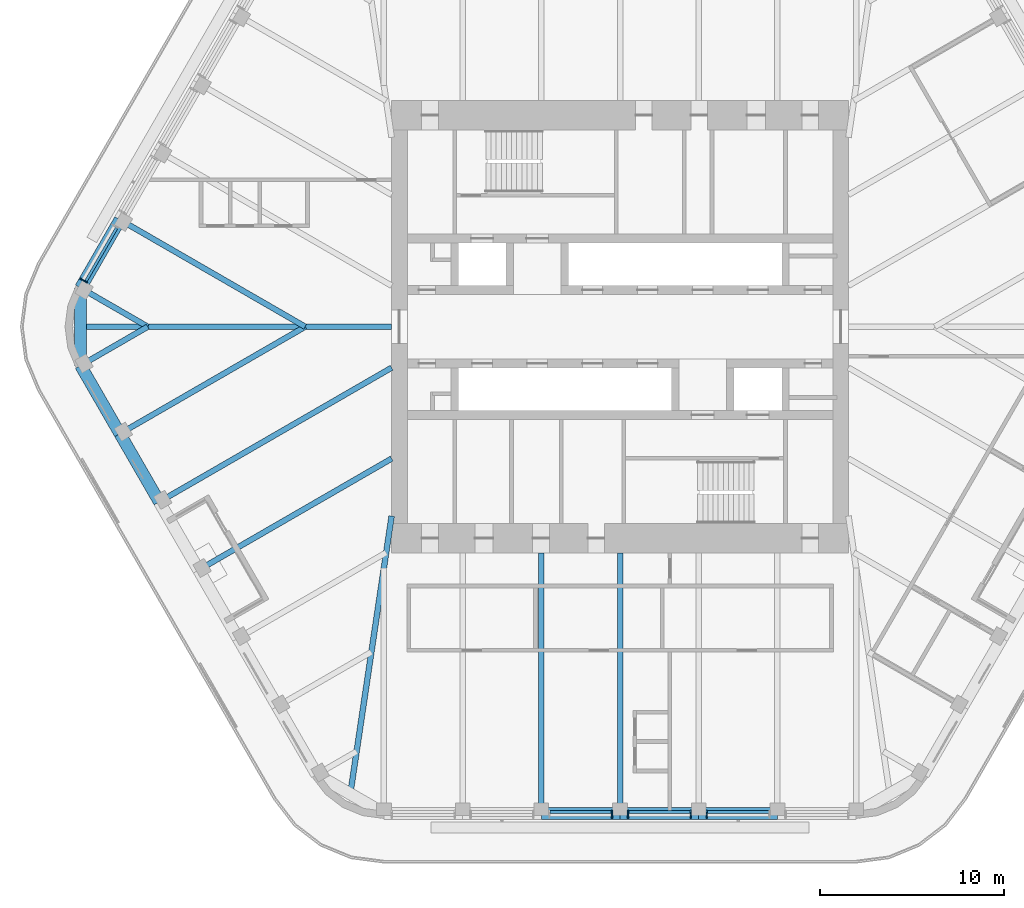
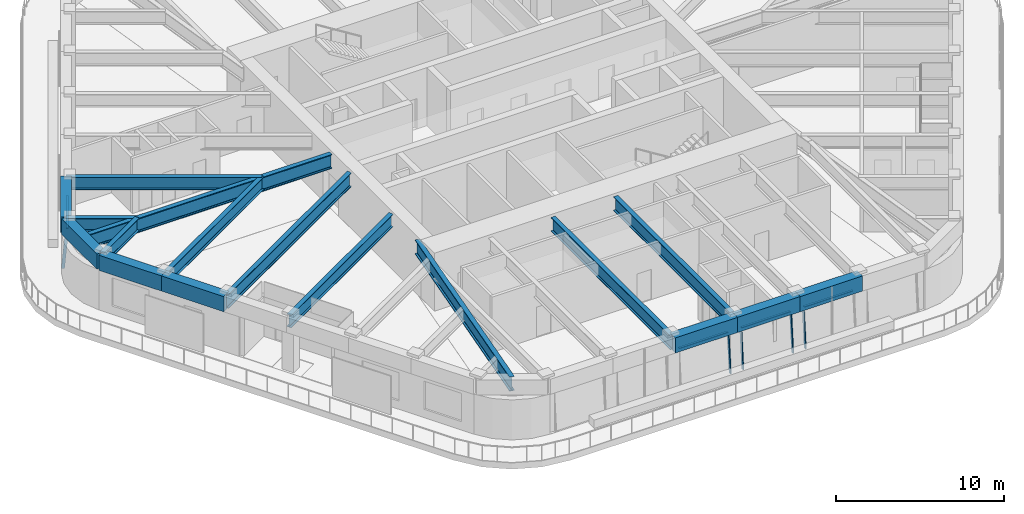
# One storey, part 3 of 20: 17 beams, 9 members, 4 elements without a shape of their own.
"""IFC4 building model written with IfcOpenShell, lengths in metres."""

from ifc_helpers import new_model, si_unit, direction, frame, origin, origin_2d, place, context, subcontext, project, spatial, rectangle, i_section, extrude, material, material_profile, profile_set, type_object, element, aggregate, save


model = new_model("IFC4")

# Units and contexts
model_context = context("Model", 3, precision=1e-05, world=origin(), true_north=direction((0.0, 1.0)))
body_context = subcontext(model_context, "Body", "Model", "MODEL_VIEW")
ifc_project = project(units=[si_unit("LENGTHUNIT", "METRE"), si_unit("AREAUNIT", "SQUARE_METRE"), si_unit("VOLUMEUNIT", "CUBIC_METRE"), si_unit("PLANEANGLEUNIT", "RADIAN"), si_unit("MASSUNIT", "GRAM", prefix="KILO")], contexts=[model_context])

# Site, building, storey
site_placement = place(None, origin())
site = spatial("IfcSite", under=ifc_project, at=site_placement, CompositionType="ELEMENT")
building_placement = place(site_placement, origin())
building = spatial("IfcBuilding", under=site, at=building_placement, Name="Tarfa Lantern Tower", CompositionType="ELEMENT")
storey_placement = place(building_placement, frame((0.0, 0.0, 382.89990234375)))
storey = spatial("IfcBuildingStorey", under=building, at=storey_placement, Name="L87", CompositionType="ELEMENT", Elevation=382.89990234375)

# Curtain wall, member
ifc_material_1 = material(Name="Aluminium framed curtain wall", Category="aluminium")
curtain_wall_type = type_object("IfcCurtainWallType", Name="CW4 CANTED GLAZING EXECUTIVE ZONE 2900", PredefinedType="USERDEFINED", material=ifc_material_1)
curtain_wall_1_placement = place(storey_placement, origin())
curtain_wall_1 = element("IfcCurtainWall", 1, at=curtain_wall_1_placement, inside=storey, type_object=curtain_wall_type, Name="CW4 NW L87", ObjectType="CURTAIN WALL", PredefinedType="USERDEFINED")
ifc_material_2 = material(Name="Aluminium mullion", Category="aluminium")
ifc_material_profile_1 = material_profile(ifc_material_2, rectangle(XDim=0.06494140625, YDim=0.199951171875, at=origin_2d()), Name="AL MULLION 65x200")
ifc_profile_set_1 = profile_set([ifc_material_profile_1], Name="Aluminium mullion")
member_type_1 = type_object("IfcMemberType", Name="CWM1 MULLION 65x200", PredefinedType="MULLION", material=ifc_profile_set_1)
member_1_placement = place(storey_placement, frame((-29.286376953125, 2.574462890625, 0.0), z_axis=(0.074393603155, -0.042941967097, 0.996303959277), x_axis=(0.499919672301, 0.866071776036, 0.0)))
member_1 = element("IfcMember", 2, at=member_1_placement, type_object=member_type_1, Name="CW4 mullion 2", PredefinedType="MULLION", context=body_context, shape_type="SweptSolid", body=[
    extrude(rectangle(XDim=0.06494140625, YDim=0.199951171875, at=origin_2d()), origin(), (0.0, 0.0, 1.0), 2.910888671875),
])

curtain_wall_2_placement = place(storey_placement, origin())
curtain_wall_2 = element("IfcCurtainWall", 3, at=curtain_wall_2_placement, inside=storey, type_object=curtain_wall_type, Name="CW4 S L87", ObjectType="CURTAIN WALL", PredefinedType="USERDEFINED")
member_2_placement = place(storey_placement, frame((-0.4326171875, -26.64990234375, 0.0), z_axis=(0.0, 0.085884035992, 0.996305140186), x_axis=(-1.0, 0.0, 0.0)))
member_2 = element("IfcMember", 4, at=member_2_placement, type_object=member_type_1, Name="CW4 mullion 2", PredefinedType="MULLION", context=body_context, shape_type="SweptSolid", body=[
    extrude(rectangle(XDim=0.06494140625, YDim=0.199951171875, at=origin_2d()), origin(), (0.0, 0.0, 1.0), 2.910888671875),
])

# Curtain wall, members
curtain_wall_3_placement = place(storey_placement, origin())
curtain_wall_3 = element("IfcCurtainWall", 5, at=curtain_wall_3_placement, inside=storey, type_object=curtain_wall_type, Name="CW4 S L87", ObjectType="CURTAIN WALL", PredefinedType="USERDEFINED")
member_3_placement = place(storey_placement, frame((0.4326171875, -26.64990234375, 0.0), z_axis=(0.0, 0.085884035992, 0.996305140186), x_axis=(-1.0, 0.0, 0.0)))
member_3 = element("IfcMember", 6, at=member_3_placement, type_object=member_type_1, Name="CW4 mullion 1", PredefinedType="MULLION", context=body_context, shape_type="SweptSolid", body=[
    extrude(rectangle(XDim=0.06494140625, YDim=0.199951171875, at=origin_2d()), origin(), (0.0, 0.0, 1.0), 2.910888671875),
])
member_4_placement = place(storey_placement, frame((3.849609375, -26.64990234375, 0.0), z_axis=(0.0, 0.085884035992, 0.996305140186), x_axis=(-1.0, 0.0, 0.0)))
member_4 = element("IfcMember", 7, at=member_4_placement, type_object=member_type_1, Name="CW4 mullion 2", PredefinedType="MULLION", context=body_context, shape_type="SweptSolid", body=[
    extrude(rectangle(XDim=0.06494140625, YDim=0.199951171875, at=origin_2d()), origin(), (0.0, 0.0, 1.0), 2.910888671875),
])

# Curtain wall, member
curtain_wall_4_placement = place(storey_placement, origin())
curtain_wall_4 = element("IfcCurtainWall", 8, at=curtain_wall_4_placement, inside=storey, type_object=curtain_wall_type, Name="CW4 S L87", ObjectType="CURTAIN WALL", PredefinedType="USERDEFINED")
member_5_placement = place(storey_placement, frame((4.714599609375, -26.64990234375, 0.0), z_axis=(0.0, 0.085884035992, 0.996305140186), x_axis=(-1.0, 0.0, 0.0)))
member_5 = element("IfcMember", 9, at=member_5_placement, type_object=member_type_1, Name="CW4 mullion 1", PredefinedType="MULLION", context=body_context, shape_type="SweptSolid", body=[
    extrude(rectangle(XDim=0.06494140625, YDim=0.199951171875, at=origin_2d()), origin(), (0.0, 0.0, 1.0), 2.910888671875),
])

# Member
ifc_material_3 = material(Name="Aluminium transom", Category="aluminium")
ifc_material_profile_2 = material_profile(ifc_material_3, rectangle(XDim=0.14990234375, YDim=0.06494140625, at=origin_2d()), Name="AL TRANSOM 150x65")
ifc_profile_set_2 = profile_set([ifc_material_profile_2], Name="Aluminium transom")
member_type_2 = type_object("IfcMemberType", Name="CWT1 TRANSOM 150x65", PredefinedType="USERDEFINED", material=ifc_profile_set_2)
member_6_placement = place(storey_placement, frame((-27.380126953125, 5.382080078125, 2.86767578125), z_axis=(-0.499930512259, -0.866065518833, 0.0), x_axis=(0.866065518833, -0.499930512259, 0.0)))
member_6 = element("IfcMember", 10, at=member_6_placement, type_object=member_type_2, Name="CW4 transom 1.2", ObjectType="TRANSOM", PredefinedType="USERDEFINED", context=body_context, shape_type="SweptSolid", body=[
    extrude(rectangle(XDim=0.14990234375, YDim=0.06494140625, at=origin_2d()), origin(), (0.0, 0.0, 1.0), 3.35205078125),
])

aggregate(curtain_wall_1, [member_1, member_6])

member_7_placement = place(storey_placement, frame((-3.81689453125, -26.40283203125, 2.86767578125), z_axis=(1.0, 0.0, 0.0), x_axis=(0.0, 1.0, 0.0)))
member_7 = element("IfcMember", 11, at=member_7_placement, type_object=member_type_2, Name="CW4 transom 1.2", ObjectType="TRANSOM", PredefinedType="USERDEFINED", context=body_context, shape_type="SweptSolid", body=[
    extrude(rectangle(XDim=0.14990234375, YDim=0.06494140625, at=origin_2d()), origin(), (0.0, 0.0, 1.0), 3.351806640625),
])

aggregate(curtain_wall_2, [member_2, member_7])

member_8_placement = place(storey_placement, frame((0.465087890625, -26.40283203125, 2.86767578125), z_axis=(1.0, 0.0, 0.0), x_axis=(0.0, 1.0, 0.0)))
member_8 = element("IfcMember", 12, at=member_8_placement, type_object=member_type_2, Name="CW4 transom 1.2", ObjectType="TRANSOM", PredefinedType="USERDEFINED", context=body_context, shape_type="SweptSolid", body=[
    extrude(rectangle(XDim=0.14990234375, YDim=0.06494140625, at=origin_2d()), origin(), (0.0, 0.0, 1.0), 3.351806640625),
])

aggregate(curtain_wall_3, [member_3, member_4, member_8])

member_9_placement = place(storey_placement, frame((4.7470703125, -26.40283203125, 2.86767578125), z_axis=(1.0, 0.0, 0.0), x_axis=(0.0, 1.0, 0.0)))
member_9 = element("IfcMember", 13, at=member_9_placement, type_object=member_type_2, Name="CW4 transom 1.2", ObjectType="TRANSOM", PredefinedType="USERDEFINED", context=body_context, shape_type="SweptSolid", body=[
    extrude(rectangle(XDim=0.14990234375, YDim=0.06494140625, at=origin_2d()), origin(), (0.0, 0.0, 1.0), 3.35205078125),
])

aggregate(curtain_wall_4, [member_5, member_9])

# Beams
ifc_material_4 = material(Name="Concrete C80/95", Category="concrete")
ifc_material_profile_3 = material_profile(ifc_material_4, rectangle(XDim=0.64990234375, YDim=1.10009765625, at=origin_2d()), Name="RC 650x1100")
ifc_profile_set_3 = profile_set([ifc_material_profile_3], Name="Concrete C80/95")
beam_type_1 = type_object("IfcBeamType", Name="EB4 RC 650x1100", PredefinedType="SPANDREL", material=ifc_profile_set_3)
beam_1_placement = place(storey_placement, frame((-27.205810546875, 5.818359375, 3.4501953125), z_axis=(-0.499984039138, -0.866034618596, 0.0), x_axis=(0.866034618596, -0.499984039138, 0.0)))
element("IfcBeam", 14, at=beam_1_placement, inside=storey, type_object=beam_type_1, Name="Edge beam NW5", PredefinedType="SPANDREL", context=body_context, shape_type="SweptSolid", body=[
    extrude(rectangle(XDim=0.64990234375, YDim=1.10009765625, at=origin_2d()), origin(), (0.0, 0.0, 1.0), 4.281982421875),
])
beam_2_placement = place(storey_placement, frame((-29.3466796875, 2.110107421875, 3.4501953125), z_axis=(0.0, -1.0, 0.0), x_axis=(1.0, 0.0, 0.0)))
element("IfcBeam", 15, at=beam_2_placement, inside=storey, type_object=beam_type_1, Name="Edge beam NW6", PredefinedType="SPANDREL", context=body_context, shape_type="SweptSolid", body=[
    extrude(rectangle(XDim=0.64990234375, YDim=1.10009765625, at=origin_2d()), origin(), (0.0, 0.0, 1.0), 4.22021484375),
])
for number, where, z_axis, x_axis, name in (
    (16, (-29.3466796875, -2.110107421875, 3.4501953125), (0.499984039138, -0.866034618596, 0.0), (0.866034618596, 0.499984039138, 0.0), "Edge beam SW0"),
    (17, (-27.205810546875, -5.818359375, 3.4501953125), (0.500026801138, -0.866009929587, 0.0), (0.866009929587, 0.500026801138, 0.0), "Edge beam SW1"),
    (18, (-4.281982421875, -26.469970703125, 3.4501953125), (1.0, 0.0, 0.0), (0.0, 1.0, 0.0), "Edge beam S2"),
    (19, (0.0, -26.469970703125, 3.4501953125), (1.0, 0.0, 0.0), (0.0, 1.0, 0.0), "Edge beam S3"),
    (20, (4.281982421875, -26.469970703125, 3.4501953125), (1.0, 0.0, 0.0), (0.0, 1.0, 0.0), "Edge beam S4"),
):
    element("IfcBeam", number, at=place(storey_placement, frame(where, z_axis=z_axis, x_axis=x_axis)), inside=storey, type_object=beam_type_1, Name=name, PredefinedType="SPANDREL", context=body_context, shape_type="SweptSolid", body=[
        extrude(rectangle(XDim=0.64990234375, YDim=1.10009765625, at=origin_2d()), origin(), (0.0, 0.0, 1.0), 4.281982421875),
    ])
ifc_material_5 = material(Name="Steel S460M", Category="steel")
ifc_material_profile_4 = material_profile(ifc_material_5, i_section(OverallWidth=0.302001953125, OverallDepth=1.008056640625, WebThickness=0.02099609375, FlangeThickness=0.0400390625, FilletRadius=0.030029296875, at=origin_2d()), Name="UB1016x305x349")
ifc_profile_set_4 = profile_set([ifc_material_profile_4], Name="Steel S460M")
beam_type_2 = type_object("IfcBeamType", Name="UB1016x305x349", PredefinedType="BEAM", material=ifc_profile_set_4)
beam_3_placement = place(storey_placement, frame((-25.064697265625, -9.526611328125, 3.49609375), z_axis=(0.866029591389, 0.499992746786, 0.0), x_axis=(-0.499992746786, 0.866029591389, 0.0)))
element("IfcBeam", 21, at=beam_3_placement, inside=storey, type_object=beam_type_2, Name="Floor beam SW2", PredefinedType="BEAM", context=body_context, shape_type="SweptSolid", body=[
    extrude(i_section(OverallWidth=0.302001953125, OverallDepth=1.008056640625, WebThickness=0.02099609375, FlangeThickness=0.0400390625, FilletRadius=0.030029296875, at=origin_2d()), origin(), (0.0, 0.0, 1.0), 14.594970703125),
])
for number, where, z_axis, x_axis, name in (
    (22, (-4.281982421875, -26.469970703125, 3.49609375), (0.0, 1.0, 0.0), (-1.0, 0.0, 0.0), "Floor beam S2"),
    (23, (0.0, -26.469970703125, 3.49609375), (0.0, 1.0, 0.0), (-1.0, 0.0, 0.0), "Floor beam S3"),
):
    element("IfcBeam", number, at=place(storey_placement, frame(where, z_axis=z_axis, x_axis=x_axis)), inside=storey, type_object=beam_type_2, Name=name, PredefinedType="BEAM", context=body_context, shape_type="SweptSolid", body=[
        extrude(i_section(OverallWidth=0.302001953125, OverallDepth=1.008056640625, WebThickness=0.02099609375, FlangeThickness=0.0400390625, FilletRadius=0.030029296875, at=origin_2d()), origin(), (0.0, 0.0, 1.0), 14.169921875),
    ])
ifc_material_profile_5 = material_profile(ifc_material_5, i_section(OverallWidth=0.30859375, OverallDepth=1.036376953125, WebThickness=0.030029296875, FlangeThickness=0.05419921875, FilletRadius=0.030029296875, at=origin_2d()), Name="UB1016x305x487")
ifc_profile_set_5 = profile_set([ifc_material_profile_5], Name="Steel S460M")
beam_type_3 = type_object("IfcBeamType", Name="UB1016x305x487", PredefinedType="BEAM", material=ifc_profile_set_5)
beam_4_placement = place(storey_placement, frame((-12.425048828125, 0.0, 3.48193359375), z_axis=(-1.0, 0.0, 0.0), x_axis=(0.0, -1.0, 0.0)))
element("IfcBeam", 24, at=beam_4_placement, inside=storey, type_object=beam_type_3, Name="Hip girder W", PredefinedType="BEAM", context=body_context, shape_type="SweptSolid", body=[
    extrude(i_section(OverallWidth=0.30859375, OverallDepth=1.036376953125, WebThickness=0.030029296875, FlangeThickness=0.05419921875, FilletRadius=0.030029296875, at=origin_2d()), origin(), (0.0, 0.0, 1.0), 16.921630859375),
])
beam_5_placement = place(storey_placement, frame((-12.425048828125, -10.300048828125, 3.48193359375), z_axis=(-0.147127069073, -0.989117599452, 0.0), x_axis=(0.989117599452, -0.147127069073, 0.0)))
element("IfcBeam", 25, at=beam_5_placement, inside=storey, type_object=beam_type_3, Name="Hip girder SW", PredefinedType="BEAM", context=body_context, shape_type="SweptSolid", body=[
    extrude(i_section(OverallWidth=0.30859375, OverallDepth=1.036376953125, WebThickness=0.030029296875, FlangeThickness=0.05419921875, FilletRadius=0.030029296875, at=origin_2d()), origin(), (0.0, 0.0, 1.0), 15.28125),
])
ifc_material_profile_6 = material_profile(ifc_material_5, i_section(OverallWidth=0.305419921875, OverallDepth=0.91845703125, WebThickness=0.017333984375, FlangeThickness=0.02783203125, FilletRadius=0.01904296875, at=origin_2d()), Name="UB914x305x253")
ifc_profile_set_6 = profile_set([ifc_material_profile_6], Name="Steel S460M")
beam_type_4 = type_object("IfcBeamType", Name="UB914x305x253", PredefinedType="BEAM", material=ifc_profile_set_6)
beam_6_placement = place(storey_placement, frame((-27.205810546875, 5.818359375, 3.541015625), z_axis=(0.866024171998, -0.500002133511, 0.0), x_axis=(0.500002133511, 0.866024171998, 0.0)))
element("IfcBeam", 26, at=beam_6_placement, inside=storey, type_object=beam_type_4, Name="Floor beam NW5", PredefinedType="BEAM", context=body_context, shape_type="SweptSolid", body=[
    extrude(i_section(OverallWidth=0.305419921875, OverallDepth=0.91845703125, WebThickness=0.017333984375, FlangeThickness=0.02783203125, FilletRadius=0.01904296875, at=origin_2d()), origin(), (0.0, 0.0, 1.0), 11.63671875),
])
for number, where, z_axis, x_axis, name in (
    (27, (-29.3466796875, 2.110107421875, 3.541015625), (0.866009274789, -0.500027935199, 0.0), (0.500027935199, 0.866009274789, 0.0), "Floor beam NW6"),
    (28, (-29.3466796875, -2.110107421875, 3.541015625), (0.866009274789, 0.500027935199, 0.0), (-0.500027935199, 0.866009274789, 0.0), "Floor beam SW0"),
):
    element("IfcBeam", number, at=place(storey_placement, frame(where, z_axis=z_axis, x_axis=x_axis)), inside=storey, type_object=beam_type_4, Name=name, PredefinedType="BEAM", context=body_context, shape_type="SweptSolid", body=[
        extrude(i_section(OverallWidth=0.305419921875, OverallDepth=0.91845703125, WebThickness=0.017333984375, FlangeThickness=0.02783203125, FilletRadius=0.01904296875, at=origin_2d()), origin(), (0.0, 0.0, 1.0), 4.219970703125),
    ])
beam_7_placement = place(storey_placement, frame((-27.205810546875, -5.818359375, 3.541015625), z_axis=(0.866024171998, 0.500002133511, 0.0), x_axis=(-0.500002133511, 0.866024171998, 0.0)))
element("IfcBeam", 29, at=beam_7_placement, inside=storey, type_object=beam_type_4, Name="Floor beam SW1", PredefinedType="BEAM", context=body_context, shape_type="SweptSolid", body=[
    extrude(i_section(OverallWidth=0.305419921875, OverallDepth=0.91845703125, WebThickness=0.017333984375, FlangeThickness=0.02783203125, FilletRadius=0.01904296875, at=origin_2d()), origin(), (0.0, 0.0, 1.0), 11.63671875),
])
beam_8_placement = place(storey_placement, frame((-22.923583984375, -13.235107421875, 3.541015625), z_axis=(0.86601856927, 0.500011837539, 0.0), x_axis=(-0.500011837539, 0.86601856927, 0.0)))
element("IfcBeam", 30, at=beam_8_placement, inside=storey, type_object=beam_type_4, Name="Floor beam SW3", PredefinedType="BEAM", context=body_context, shape_type="SweptSolid", body=[
    extrude(i_section(OverallWidth=0.305419921875, OverallDepth=0.91845703125, WebThickness=0.017333984375, FlangeThickness=0.02783203125, FilletRadius=0.01904296875, at=origin_2d()), origin(), (0.0, 0.0, 1.0), 12.122802734375),
])

save(model, "model.ifc")
